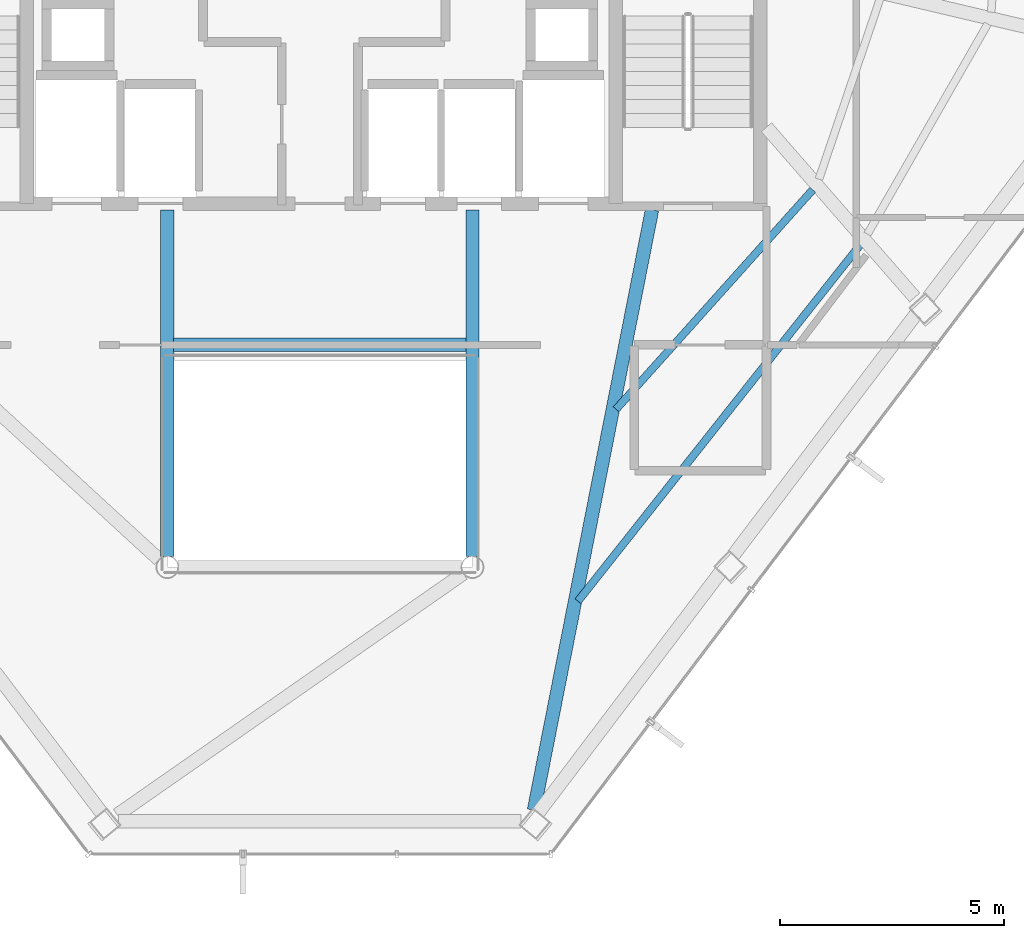
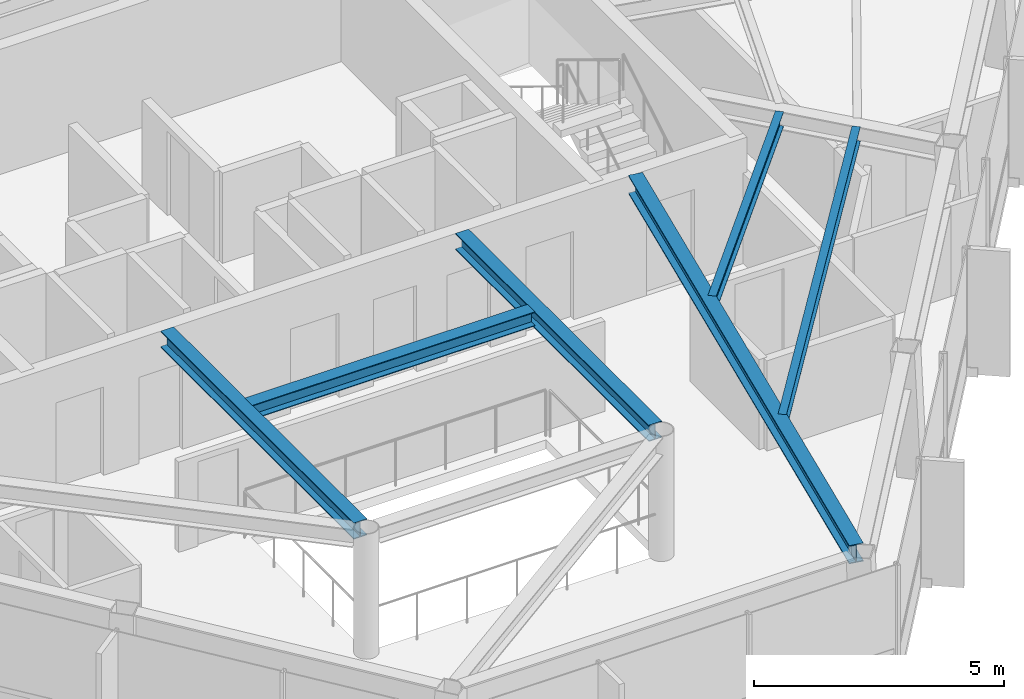
# One storey, part 7 of 24: 6 beams.
"""IFC4 building model written with IfcOpenShell, lengths in metres."""

from ifc_helpers import new_model, si_unit, direction, frame, origin, origin_2d, place, context, subcontext, project, spatial, i_section, extrude, material, material_profile, profile_set, type_object, element, save


model = new_model("IFC4")

# Units and contexts
model_context = context("Model", 3, precision=1e-05, world=origin(), true_north=direction((0.0, 1.0)))
body_context = subcontext(model_context, "Body", "Model", "MODEL_VIEW")
ifc_project = project(units=[si_unit("LENGTHUNIT", "METRE"), si_unit("AREAUNIT", "SQUARE_METRE"), si_unit("VOLUMEUNIT", "CUBIC_METRE"), si_unit("PLANEANGLEUNIT", "RADIAN"), si_unit("MASSUNIT", "GRAM", prefix="KILO")], contexts=[model_context])

# Site, building, storey
site_placement = place(None, origin())
site = spatial("IfcSite", under=ifc_project, at=site_placement, CompositionType="ELEMENT")
building_placement = place(site_placement, origin())
building = spatial("IfcBuilding", under=site, at=building_placement, Name="Zarrinselat Tower", CompositionType="ELEMENT")
storey_placement = place(building_placement, frame((0.0, 0.0, 249.56005859375)))
storey = spatial("IfcBuildingStorey", under=building, at=storey_placement, Name="L63", CompositionType="ELEMENT", Elevation=249.56005859375)

# Beams
ifc_material_1 = material(Name="Steel S355J2", Category="steel")
ifc_material_profile_1 = material_profile(ifc_material_1, i_section(OverallWidth=0.300048828125, OverallDepth=0.35009765625, WebThickness=0.010009765625, FlangeThickness=0.017578125, at=origin_2d()), Name="HEA 360")
ifc_profile_set_1 = profile_set([ifc_material_profile_1], Name="Steel S355J2")
beam_type_1 = type_object("IfcBeamType", Name="BM-HEA360", PredefinedType="LINTEL", material=ifc_profile_set_1)
beam_1_placement = place(storey_placement, frame((35.139892578125, 30.14990234375, 2.875), z_axis=(1.0, 0.0, 0.0), x_axis=(0.0, 1.0, 0.0)))
element("IfcBeam", 1, at=beam_1_placement, inside=storey, type_object=beam_type_1, Name="L63 Lift Lobby Ceiling Beam", PredefinedType="LINTEL", context=body_context, shape_type="SweptSolid", body=[
    extrude(i_section(OverallWidth=0.300048828125, OverallDepth=0.35009765625, WebThickness=0.010009765625, FlangeThickness=0.017578125, at=origin_2d()), origin(), (0.0, 0.0, 1.0), 6.52001953125),
])
ifc_material_2 = material(Name="Steel S355J2", Category="steel")
ifc_material_profile_2 = material_profile(ifc_material_2, i_section(OverallWidth=0.300048828125, OverallDepth=0.39990234375, WebThickness=0.013427734375, FlangeThickness=0.02392578125, at=origin_2d()), Name="HEB 400")
ifc_profile_set_2 = profile_set([ifc_material_profile_2], Name="Steel S355J2")
beam_type_2 = type_object("IfcBeamType", Name="BM-HEB400", PredefinedType="BEAM", material=ifc_profile_set_2)
for number, where, z_axis, x_axis, name in (
    (2, (35.0, 25.43994140625, 2.849853515625), (0.0, 1.0, 0.0), (-1.0, 0.0, 0.0), "L63 Atrium Edge Beam W"),
    (3, (41.800048828125, 25.43994140625, 2.849853515625), (0.0, 1.0, 0.0), (-1.0, 0.0, 0.0), "L63 Atrium Edge Beam E"),
):
    element("IfcBeam", number, at=place(storey_placement, frame(where, z_axis=z_axis, x_axis=x_axis)), inside=storey, type_object=beam_type_2, Name=name, PredefinedType="BEAM", context=body_context, shape_type="SweptSolid", body=[
        extrude(i_section(OverallWidth=0.300048828125, OverallDepth=0.39990234375, WebThickness=0.013427734375, FlangeThickness=0.02392578125, at=origin_2d()), origin(), (0.0, 0.0, 1.0), 7.719970703125),
    ])
ifc_material_3 = material(Name="Steel S355J2", Category="steel")
ifc_material_profile_3 = material_profile(ifc_material_3, i_section(OverallWidth=0.300048828125, OverallDepth=0.449951171875, WebThickness=0.013916015625, FlangeThickness=0.02587890625, at=origin_2d()), Name="HEB 450")
ifc_profile_set_3 = profile_set([ifc_material_profile_3], Name="Steel S355J2")
beam_type_3 = type_object("IfcBeamType", Name="BM-HEB450", PredefinedType="BEAM", material=ifc_profile_set_3)
beam_2_placement = place(storey_placement, frame((43.1689453125, 19.783447265625, 2.824951171875), z_axis=(0.192998400981, 0.981199071147, 0.0), x_axis=(-0.981199071147, 0.192998400981, 0.0)))
element("IfcBeam", 4, at=beam_2_placement, inside=storey, type_object=beam_type_3, Name="L63 Radial Primary Girder RG11", PredefinedType="BEAM", context=body_context, shape_type="SweptSolid", body=[
    extrude(i_section(OverallWidth=0.300048828125, OverallDepth=0.449951171875, WebThickness=0.013916015625, FlangeThickness=0.02587890625, at=origin_2d()), origin(), (0.0, 0.0, 1.0), 13.6328125),
])
ifc_material_4 = material(Name="Steel S355J2", Category="steel")
ifc_material_profile_4 = material_profile(ifc_material_4, i_section(OverallWidth=0.169921875, OverallDepth=0.360107421875, WebThickness=0.008056640625, FlangeThickness=0.0126953125, at=origin_2d()), Name="IPE 360")
ifc_profile_set_4 = profile_set([ifc_material_profile_4], Name="Steel S355J2")
beam_type_4 = type_object("IfcBeamType", Name="BM-IPE360", PredefinedType="JOIST", material=ifc_profile_set_4)
beam_3_placement = place(storey_placement, frame((44.150390625, 24.44140625, 2.869873046875), z_axis=(0.620833723546, 0.783942273199, 0.0), x_axis=(-0.783942273199, 0.620833723546, 0.0)))
element("IfcBeam", 5, at=beam_3_placement, inside=storey, type_object=beam_type_4, Name="L63 Composite Floor Joist 3-1", PredefinedType="JOIST", context=body_context, shape_type="SweptSolid", body=[
    extrude(i_section(OverallWidth=0.169921875, OverallDepth=0.360107421875, WebThickness=0.008056640625, FlangeThickness=0.0126953125, at=origin_2d()), origin(), (0.0, 0.0, 1.0), 10.13623046875),
])
beam_4_placement = place(storey_placement, frame((44.998779296875, 28.71630859375, 2.869873046875), z_axis=(0.667259925155, 0.744824940696, 0.0), x_axis=(-0.744824940696, 0.667259925155, 0.0)))
element("IfcBeam", 6, at=beam_4_placement, inside=storey, type_object=beam_type_4, Name="L63 Composite Floor Joist 3-2", PredefinedType="JOIST", context=body_context, shape_type="SweptSolid", body=[
    extrude(i_section(OverallWidth=0.169921875, OverallDepth=0.360107421875, WebThickness=0.008056640625, FlangeThickness=0.0126953125, at=origin_2d()), origin(), (0.0, 0.0, 1.0), 6.56591796875),
])

save(model, "model.ifc")
